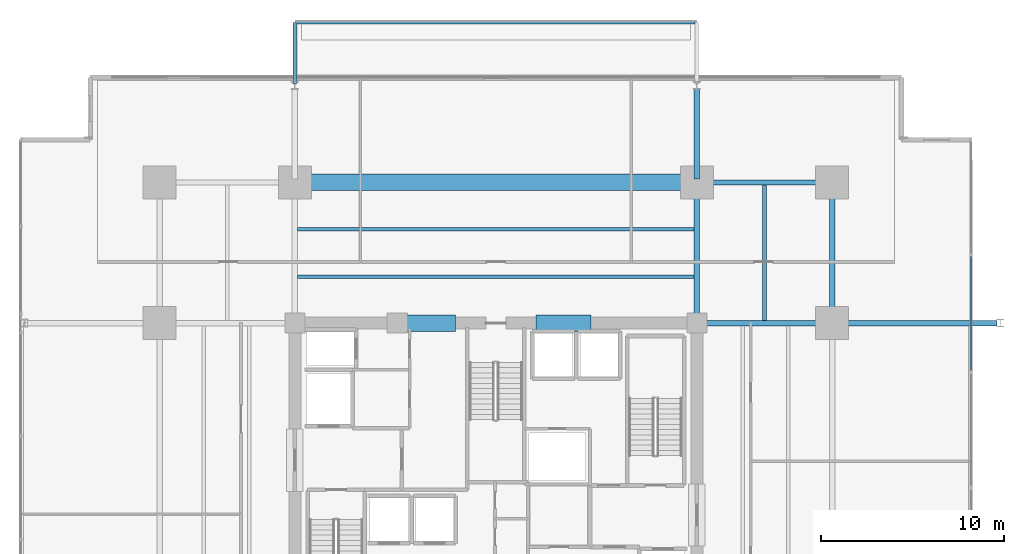
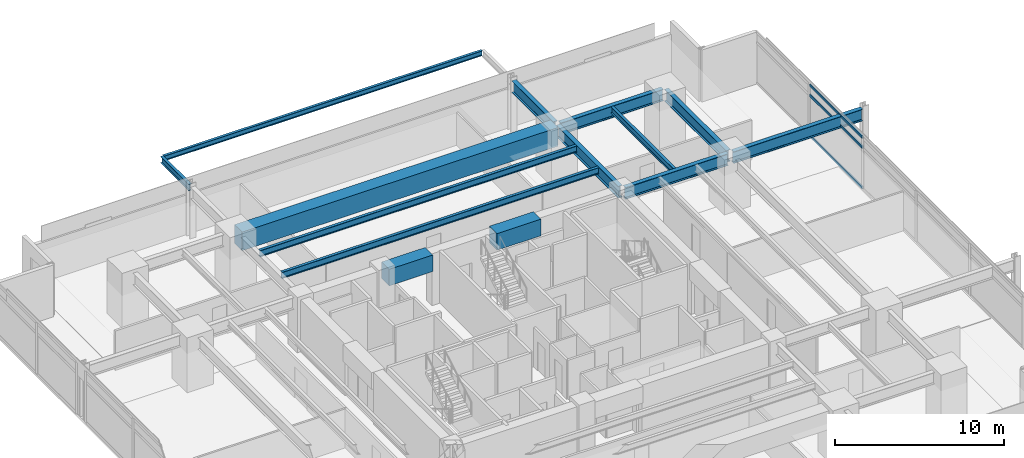
# One storey, part 12 of 25: 14 beams, 3 members, 1 element without a shape of its own.
"""IFC4 building model written with IfcOpenShell, lengths in metres."""

from ifc_helpers import new_model, si_unit, direction, frame, origin, origin_2d, place, context, subcontext, project, spatial, rectangle, hollow_rectangle, i_section, extrude, material, material_profile, profile_set, type_object, element, aggregate, save


model = new_model("IFC4")

# Units and contexts
model_context = context("Model", 3, precision=1e-05, world=origin(), true_north=direction((0.0, 1.0)))
body_context = subcontext(model_context, "Body", "Model", "MODEL_VIEW")
ifc_project = project(units=[si_unit("LENGTHUNIT", "METRE"), si_unit("AREAUNIT", "SQUARE_METRE"), si_unit("VOLUMEUNIT", "CUBIC_METRE"), si_unit("PLANEANGLEUNIT", "RADIAN"), si_unit("MASSUNIT", "GRAM", prefix="KILO")], contexts=[model_context])

# Site, building, storey
site_placement = place(None, origin())
site = spatial("IfcSite", under=ifc_project, at=site_placement, CompositionType="ELEMENT")
building_placement = place(site_placement, origin())
building = spatial("IfcBuilding", under=site, at=building_placement, Name="Kovane Verandah Tower", CompositionType="ELEMENT")
storey_placement = place(building_placement, frame((0.0, 0.0, 67.60009765625)))
storey = spatial("IfcBuildingStorey", under=building, at=storey_placement, Name="L15", CompositionType="ELEMENT", Elevation=67.60009765625)

# Beams
ifc_material_1 = material(Name="Concrete C80/95", Category="concrete")
ifc_material_profile_1 = material_profile(ifc_material_1, rectangle(XDim=0.89990234375, YDim=1.199951171875, at=origin_2d()), Name="RCB900x1200")
ifc_profile_set_1 = profile_set([ifc_material_profile_1], Name="Concrete C80/95")
beam_type_1 = type_object("IfcBeamType", Name="BM-LINTEL-900x1200", PredefinedType="LINTEL", material=ifc_profile_set_1)
for number, where, z_axis, x_axis, name in (
    (1, (34.800048828125, 36.5, 3.159912109375), (1.0, 0.0, 0.0), (0.0, 1.0, 0.0), "L15 Core Coupling Lintel CL-N1"),
    (2, (42.199951171875, 36.5, 3.159912109375), (1.0, 0.0, 0.0), (0.0, 1.0, 0.0), "L15 Core Coupling Lintel CL-N2"),
):
    element("IfcBeam", number, at=place(storey_placement, frame(where, z_axis=z_axis, x_axis=x_axis)), inside=storey, type_object=beam_type_1, Name=name, PredefinedType="LINTEL", context=body_context, shape_type="SweptSolid", body=[
        extrude(rectangle(XDim=0.89990234375, YDim=1.199951171875, at=origin_2d()), origin(), (0.0, 0.0, 1.0), 3.0),
    ])
ifc_material_profile_2 = material_profile(ifc_material_1, rectangle(XDim=0.89990234375, YDim=1.35009765625, at=origin_2d()), Name="RCB900x1350")
ifc_profile_set_2 = profile_set([ifc_material_profile_2], Name="Concrete C80/95")
beam_type_2 = type_object("IfcBeamType", Name="BM-TR-900x1350", PredefinedType="BEAM", material=ifc_profile_set_2)
beam_1_placement = place(storey_placement, frame((29.179931640625, 44.199951171875, 3.0849609375), z_axis=(1.0, 0.0, 0.0), x_axis=(0.0, 1.0, 0.0)))
element("IfcBeam", 3, at=beam_1_placement, inside=storey, type_object=beam_type_2, Name="L15 Primary Tower Girder G-RN2", PredefinedType="BEAM", context=body_context, shape_type="SweptSolid", body=[
    extrude(rectangle(XDim=0.89990234375, YDim=1.35009765625, at=origin_2d()), origin(), (0.0, 0.0, 1.0), 21.64013671875),
])
ifc_material_2 = material(Name="Steel S355", Category="steel")
ifc_material_profile_3 = material_profile(ifc_material_2, i_section(OverallWidth=0.293701171875, OverallDepth=0.850830078125, WebThickness=0.01611328125, FlangeThickness=0.02685546875, FilletRadius=0.017822265625, at=origin_2d()), Name="UB838x292x226")
ifc_profile_set_3 = profile_set([ifc_material_profile_3], Name="Steel S355")
beam_type_3 = type_object("IfcBeamType", Name="BM-UB838x226", PredefinedType="BEAM", material=ifc_profile_set_3)
beam_2_placement = place(storey_placement, frame((51.179931640625, 44.199951171875, 3.33447265625), z_axis=(1.0, 0.0, 0.0), x_axis=(0.0, 1.0, 0.0)))
element("IfcBeam", 4, at=beam_2_placement, inside=storey, type_object=beam_type_3, Name="L15 Primary Tower Girder G-RN3", PredefinedType="BEAM", context=body_context, shape_type="SweptSolid", body=[
    extrude(i_section(OverallWidth=0.293701171875, OverallDepth=0.850830078125, WebThickness=0.01611328125, FlangeThickness=0.02685546875, FilletRadius=0.017822265625, at=origin_2d()), origin(), (0.0, 0.0, 1.0), 7.0400390625),
])
beam_3_placement = place(storey_placement, frame((58.39990234375, 36.679931640625, 3.33447265625), z_axis=(0.0, 1.0, 0.0), x_axis=(-1.0, 0.0, 0.0)))
element("IfcBeam", 5, at=beam_3_placement, inside=storey, type_object=beam_type_3, Name="L15 Primary Tower Girder G-RE3", PredefinedType="BEAM", context=body_context, shape_type="SweptSolid", body=[
    extrude(i_section(OverallWidth=0.293701171875, OverallDepth=0.850830078125, WebThickness=0.01611328125, FlangeThickness=0.02685546875, FilletRadius=0.017822265625, at=origin_2d()), origin(), (0.0, 0.0, 1.0), 7.340087890625),
])
beam_4_placement = place(storey_placement, frame((51.179931640625, 36.5, 3.33447265625), z_axis=(1.0, 0.0, 0.0), x_axis=(0.0, 1.0, 0.0)))
element("IfcBeam", 6, at=beam_4_placement, inside=storey, type_object=beam_type_3, Name="L15 Primary Tower Girder G-E2", PredefinedType="BEAM", context=body_context, shape_type="SweptSolid", body=[
    extrude(i_section(OverallWidth=0.293701171875, OverallDepth=0.850830078125, WebThickness=0.01611328125, FlangeThickness=0.02685546875, FilletRadius=0.017822265625, at=origin_2d()), origin(), (0.0, 0.0, 1.0), 7.0400390625),
])
beam_5_placement = place(storey_placement, frame((51.0, 36.679931640625, 3.33447265625), z_axis=(0.0, 1.0, 0.0), x_axis=(-1.0, 0.0, 0.0)))
element("IfcBeam", 7, at=beam_5_placement, inside=storey, type_object=beam_type_3, Name="L15 Primary Tower Girder G-N2", PredefinedType="BEAM", context=body_context, shape_type="SweptSolid", body=[
    extrude(i_section(OverallWidth=0.293701171875, OverallDepth=0.850830078125, WebThickness=0.01611328125, FlangeThickness=0.02685546875, FilletRadius=0.017822265625, at=origin_2d()), origin(), (0.0, 0.0, 1.0), 7.340087890625),
])
beam_6_placement = place(storey_placement, frame((58.580078125, 36.5, 3.33447265625), z_axis=(1.0, 0.0, 0.0), x_axis=(0.0, 1.0, 0.0)))
element("IfcBeam", 8, at=beam_6_placement, inside=storey, type_object=beam_type_3, Name="L15 Primary Tower Girder G-VE2", PredefinedType="BEAM", context=body_context, shape_type="SweptSolid", body=[
    extrude(i_section(OverallWidth=0.293701171875, OverallDepth=0.850830078125, WebThickness=0.01611328125, FlangeThickness=0.02685546875, FilletRadius=0.017822265625, at=origin_2d()), origin(), (0.0, 0.0, 1.0), 8.83984375),
])
beam_7_placement = place(storey_placement, frame((51.0, 44.3798828125, 3.33447265625), z_axis=(0.0, 1.0, 0.0), x_axis=(-1.0, 0.0, 0.0)))
element("IfcBeam", 9, at=beam_7_placement, inside=storey, type_object=beam_type_3, Name="L15 Primary Tower Girder G-VN2", PredefinedType="BEAM", context=body_context, shape_type="SweptSolid", body=[
    extrude(i_section(OverallWidth=0.293701171875, OverallDepth=0.850830078125, WebThickness=0.01611328125, FlangeThickness=0.02685546875, FilletRadius=0.017822265625, at=origin_2d()), origin(), (0.0, 0.0, 1.0), 4.940185546875),
])

# Curtain wall, members
ifc_material_3 = material(Name="Champagne Anodised Aluminium Frame with Low-E Clear Laminated Glass", Category="aluminium")
curtain_wall_type = type_object("IfcCurtainWallType", Name="CW-SYS-02-LOW", PredefinedType="NOTDEFINED", material=ifc_material_3)
curtain_wall_placement = place(storey_placement, origin())
curtain_wall = element("IfcCurtainWall", 10, at=curtain_wall_placement, inside=storey, type_object=curtain_wall_type, Name="L15 E Unitised Curtain Wall", PredefinedType="NOTDEFINED")
ifc_material_4 = material(Name="Champagne Anodised Aluminium 6063-T6", Category="aluminium")
ifc_material_profile_4 = material_profile(ifc_material_4, hollow_rectangle(XDim=0.0849609375, YDim=0.18994140625, WallThickness=0.00390625, at=origin_2d()), Name="AL85x190x4")
ifc_profile_set_4 = profile_set([ifc_material_profile_4], Name="Champagne Anodised Aluminium 6063-T6")
member_type = type_object("IfcMemberType", Name="CW-TRN-85x190", PredefinedType="USERDEFINED", material=ifc_profile_set_4)
member_1_placement = place(storey_placement, frame((66.001220703125, 33.89697265625, 0.0498046875), z_axis=(0.0, 1.0, 0.0), x_axis=(-1.0, 0.0, 0.0)))
member_1 = element("IfcMember", 11, at=member_1_placement, type_object=member_type, Name="L15 E Unitised Curtain Wall Transom TB Bay 5", ObjectType="TRANSOM", PredefinedType="USERDEFINED", context=body_context, shape_type="SweptSolid", body=[
    extrude(hollow_rectangle(XDim=0.0849609375, YDim=0.18994140625, WallThickness=0.00390625, at=origin_2d()), origin(), (0.0, 0.0, 1.0), 6.246826171875),
])
member_2_placement = place(storey_placement, frame((66.001220703125, 33.89697265625, 2.97998046875), z_axis=(0.0, 1.0, 0.0), x_axis=(-1.0, 0.0, 0.0)))
member_2 = element("IfcMember", 12, at=member_2_placement, type_object=member_type, Name="L15 E Unitised Curtain Wall Transom TM Bay 5", ObjectType="TRANSOM", PredefinedType="USERDEFINED", context=body_context, shape_type="SweptSolid", body=[
    extrude(hollow_rectangle(XDim=0.0849609375, YDim=0.18994140625, WallThickness=0.00390625, at=origin_2d()), origin(), (0.0, 0.0, 1.0), 6.246826171875),
])
member_3_placement = place(storey_placement, frame((66.001220703125, 33.89697265625, 3.7099609375), z_axis=(0.0, 1.0, 0.0), x_axis=(-1.0, 0.0, 0.0)))
member_3 = element("IfcMember", 13, at=member_3_placement, type_object=member_type, Name="L15 E Unitised Curtain Wall Transom TT Bay 5", ObjectType="TRANSOM", PredefinedType="USERDEFINED", context=body_context, shape_type="SweptSolid", body=[
    extrude(hollow_rectangle(XDim=0.0849609375, YDim=0.18994140625, WallThickness=0.00390625, at=origin_2d()), origin(), (0.0, 0.0, 1.0), 6.246826171875),
])
aggregate(curtain_wall, [member_1, member_2, member_3])

# Beams
ifc_material_profile_5 = material_profile(ifc_material_2, i_section(OverallWidth=0.19287109375, OverallDepth=0.46728515625, WebThickness=0.011474609375, FlangeThickness=0.01953125, FilletRadius=0.01025390625, at=origin_2d()), Name="UB457x191x98")
ifc_profile_set_5 = profile_set([ifc_material_profile_5], Name="Steel S355")
beam_type_4 = type_object("IfcBeamType", Name="JST-UB457x98", PredefinedType="JOIST", material=ifc_profile_set_5)
for number, where, z_axis, x_axis, name in (
    (14, (29.14501953125, 39.050048828125, 3.5263671875), (1.0, 0.0, 0.0), (0.0, 1.0, 0.0), "L15 Secondary Composite Joist J-N1"),
    (15, (29.14501953125, 41.64990234375, 3.5263671875), (1.0, 0.0, 0.0), (0.0, 1.0, 0.0), "L15 Secondary Composite Joist J-N2"),
):
    element("IfcBeam", number, at=place(storey_placement, frame(where, z_axis=z_axis, x_axis=x_axis)), inside=storey, type_object=beam_type_4, Name=name, PredefinedType="JOIST", context=body_context, shape_type="SweptSolid", body=[
        extrude(i_section(OverallWidth=0.19287109375, OverallDepth=0.46728515625, WebThickness=0.011474609375, FlangeThickness=0.01953125, FilletRadius=0.01025390625, at=origin_2d()), origin(), (0.0, 0.0, 1.0), 21.7099609375),
    ])
beam_8_placement = place(storey_placement, frame((54.699951171875, 36.64501953125, 3.5263671875), z_axis=(0.0, 1.0, 0.0), x_axis=(-1.0, 0.0, 0.0)))
element("IfcBeam", 16, at=beam_8_placement, inside=storey, type_object=beam_type_4, Name="L15 Secondary Composite Joist J-NE1", PredefinedType="JOIST", context=body_context, shape_type="SweptSolid", body=[
    extrude(i_section(OverallWidth=0.19287109375, OverallDepth=0.46728515625, WebThickness=0.011474609375, FlangeThickness=0.01953125, FilletRadius=0.01025390625, at=origin_2d()), origin(), (0.0, 0.0, 1.0), 7.41015625),
])
beam_9_placement = place(storey_placement, frame((29.0, 49.580078125, 3.5263671875), z_axis=(0.0, 1.0, 0.0), x_axis=(-1.0, 0.0, 0.0)))
element("IfcBeam", 17, at=beam_9_placement, inside=storey, type_object=beam_type_4, Name="L15 North Planter Girder 1", PredefinedType="JOIST", context=body_context, shape_type="SweptSolid", body=[
    extrude(i_section(OverallWidth=0.19287109375, OverallDepth=0.46728515625, WebThickness=0.011474609375, FlangeThickness=0.01953125, FilletRadius=0.01025390625, at=origin_2d()), origin(), (0.0, 0.0, 1.0), 3.370361328125),
])
ifc_material_profile_6 = material_profile(ifc_material_2, i_section(OverallWidth=0.173095703125, OverallDepth=0.36328125, WebThickness=0.009033203125, FlangeThickness=0.015625, FilletRadius=0.01025390625, at=origin_2d()), Name="UB356x171x67")
ifc_profile_set_6 = profile_set([ifc_material_profile_6], Name="Steel S355")
beam_type_5 = type_object("IfcBeamType", Name="SPD-UB356x67", PredefinedType="USERDEFINED", material=ifc_profile_set_6)
beam_10_placement = place(storey_placement, frame((29.094482421875, 52.950439453125, 3.578125), z_axis=(1.0, 0.0, 0.0), x_axis=(0.0, 1.0, 0.0)))
element("IfcBeam", 18, at=beam_10_placement, inside=storey, type_object=beam_type_5, Name="L15 North Planter Edge Spandrel", ObjectType="SPANDREL", PredefinedType="USERDEFINED", context=body_context, shape_type="SweptSolid", body=[
    extrude(i_section(OverallWidth=0.173095703125, OverallDepth=0.36328125, WebThickness=0.009033203125, FlangeThickness=0.015625, FilletRadius=0.01025390625, at=origin_2d()), origin(), (0.0, 0.0, 1.0), 21.81103515625),
])

save(model, "model.ifc")
